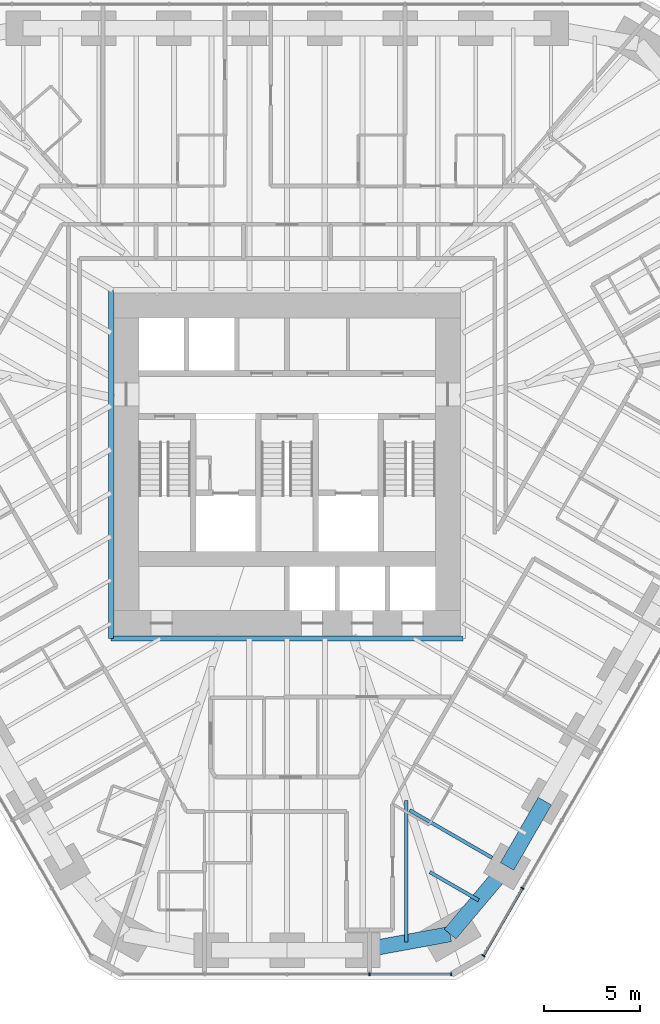
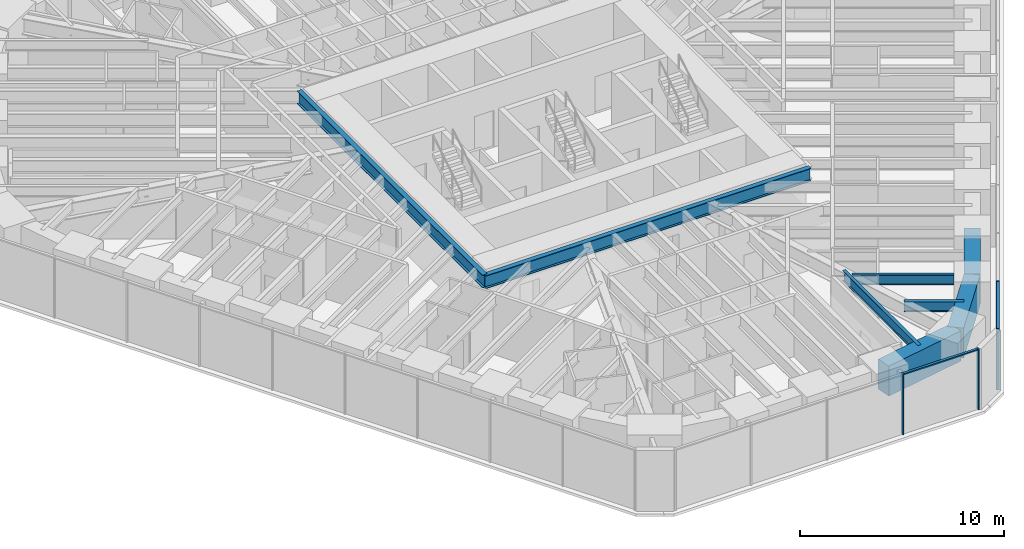
# One storey, part 4 of 17: 8 beams, 6 members, 2 elements without a shape of their own.
"""IFC4 building model written with IfcOpenShell, lengths in metres."""

from ifc_helpers import new_model, si_unit, direction, frame, origin, origin_2d, place, context, subcontext, project, spatial, rectangle, i_section, extrude, material, material_profile, profile_set, type_object, element, aggregate, save


model = new_model("IFC4")

# Units and contexts
model_context = context("Model", 3, precision=1e-05, world=origin(), true_north=direction((0.0, 1.0)))
body_context = subcontext(model_context, "Body", "Model", "MODEL_VIEW")
ifc_project = project(units=[si_unit("LENGTHUNIT", "METRE"), si_unit("AREAUNIT", "SQUARE_METRE"), si_unit("VOLUMEUNIT", "CUBIC_METRE"), si_unit("PLANEANGLEUNIT", "RADIAN"), si_unit("MASSUNIT", "GRAM", prefix="KILO")], contexts=[model_context])

# Site, building, storey
site_placement = place(None, origin())
site = spatial("IfcSite", under=ifc_project, at=site_placement, CompositionType="ELEMENT")
building_placement = place(site_placement, origin())
building = spatial("IfcBuilding", under=site, at=building_placement, Name="Sandreach Pilgrim Tower", CompositionType="ELEMENT")
storey_placement = place(building_placement, frame((0.0, 0.0, 123.39990234375)))
storey = spatial("IfcBuildingStorey", under=building, at=storey_placement, Name="L30", CompositionType="ELEMENT", Elevation=123.39990234375)

# Curtain wall, members
ifc_material_1 = material(Name="Aluminium framed curtain wall", Category="aluminium")
curtain_wall_type = type_object("IfcCurtainWallType", Name="Hotel tower curtain wall", PredefinedType="NOTDEFINED", material=ifc_material_1)
curtain_wall_1_placement = place(storey_placement, origin())
curtain_wall_1 = element("IfcCurtainWall", 1, at=curtain_wall_1_placement, inside=storey, type_object=curtain_wall_type, Name="CW-2 L30 SE", PredefinedType="NOTDEFINED")
ifc_material_2 = material(Name="Aluminium extrusion", Category="aluminium")
ifc_material_profile_1 = material_profile(ifc_material_2, rectangle(XDim=0.06494140625, YDim=0.179931640625, at=origin_2d()), Name="CW-2M 65X180")
ifc_profile_set_1 = profile_set([ifc_material_profile_1], Name="Aluminium extrusion")
member_type_1 = type_object("IfcMemberType", Name="CW-2 mullion", PredefinedType="MULLION", material=ifc_profile_set_1)
member_1_placement = place(storey_placement, frame((12.29296875, -23.695556640625, 0.0), z_axis=(0.0, 0.0, 1.0), x_axis=(-0.5, -0.866025403784, 0.0)))
member_1 = element("IfcMember", 2, at=member_1_placement, type_object=member_type_1, Name="CW-2 mullion 9", PredefinedType="MULLION", context=body_context, shape_type="SweptSolid", body=[
    extrude(rectangle(XDim=0.06494140625, YDim=0.179931640625, at=origin_2d()), origin(), (0.0, 0.0, 1.0), 3.64013671875),
])
member_2_placement = place(storey_placement, frame((10.255859375, -27.22412109375, 0.0), z_axis=(0.0, 0.0, 1.0), x_axis=(-0.5, -0.866025403784, 0.0)))
member_2 = element("IfcMember", 3, at=member_2_placement, type_object=member_type_1, Name="CW-2 mullion 10", PredefinedType="MULLION", context=body_context, shape_type="SweptSolid", body=[
    extrude(rectangle(XDim=0.06494140625, YDim=0.179931640625, at=origin_2d()), origin(), (0.0, 0.0, 1.0), 3.64013671875),
])

curtain_wall_2_placement = place(storey_placement, origin())
curtain_wall_2 = element("IfcCurtainWall", 4, at=curtain_wall_2_placement, inside=storey, type_object=curtain_wall_type, Name="CW-2 L30 S", PredefinedType="NOTDEFINED")
member_3_placement = place(storey_placement, frame((8.578857421875, -28.192138671875, 0.0), z_axis=(0.0, 0.0, 1.0), x_axis=(-1.0, 0.0, 0.0)))
member_3 = element("IfcMember", 5, at=member_3_placement, type_object=member_type_1, Name="CW-2 mullion 1", PredefinedType="MULLION", context=body_context, shape_type="SweptSolid", body=[
    extrude(rectangle(XDim=0.06494140625, YDim=0.179931640625, at=origin_2d()), origin(), (0.0, 0.0, 1.0), 3.64013671875),
])
member_4_placement = place(storey_placement, frame((4.3056640625, -28.192138671875, 0.0), z_axis=(0.0, 0.0, 1.0), x_axis=(-1.0, 0.0, 0.0)))
member_4 = element("IfcMember", 6, at=member_4_placement, type_object=member_type_1, Name="CW-2 mullion 2", PredefinedType="MULLION", context=body_context, shape_type="SweptSolid", body=[
    extrude(rectangle(XDim=0.06494140625, YDim=0.179931640625, at=origin_2d()), origin(), (0.0, 0.0, 1.0), 3.64013671875),
])

# Member
ifc_material_3 = material(Name="Aluminium extrusion", Category="aluminium")
ifc_material_profile_2 = material_profile(ifc_material_3, rectangle(XDim=0.139892578125, YDim=0.070068359375, at=origin_2d()), Name="CW-2T 140X70")
ifc_profile_set_2 = profile_set([ifc_material_profile_2], Name="Aluminium extrusion")
member_type_2 = type_object("IfcMemberType", Name="CW-2 transom", PredefinedType="USERDEFINED", material=ifc_profile_set_2)
member_5_placement = place(storey_placement, frame((12.27685546875, -23.7236328125, 3.60498046875), z_axis=(-0.500015851672, -0.866016251624, 0.0), x_axis=(0.866016251624, -0.500015851672, 0.0)))
member_5 = element("IfcMember", 7, at=member_5_placement, type_object=member_type_2, Name="CW-2 head transom 9", ObjectType="TRANSOM", PredefinedType="USERDEFINED", context=body_context, shape_type="SweptSolid", body=[
    extrude(rectangle(XDim=0.139892578125, YDim=0.070068359375, at=origin_2d()), origin(), (0.0, 0.0, 1.0), 4.009521484375),
])

aggregate(curtain_wall_1, [member_1, member_2, member_5])

member_6_placement = place(storey_placement, frame((8.54638671875, -28.192138671875, 3.60498046875), z_axis=(-1.0, 0.0, 0.0), x_axis=(0.0, -1.0, 0.0)))
member_6 = element("IfcMember", 8, at=member_6_placement, type_object=member_type_2, Name="CW-2 head transom 1", ObjectType="TRANSOM", PredefinedType="USERDEFINED", context=body_context, shape_type="SweptSolid", body=[
    extrude(rectangle(XDim=0.139892578125, YDim=0.070068359375, at=origin_2d()), origin(), (0.0, 0.0, 1.0), 4.208251953125),
])

aggregate(curtain_wall_2, [member_3, member_4, member_6])

# Beams
ifc_material_4 = material(Name="Steel ASTM A992 Grade 50", Category="steel")
ifc_material_profile_3 = material_profile(ifc_material_4, i_section(OverallWidth=0.2666015625, OverallDepth=0.77978515625, WebThickness=0.0166015625, FlangeThickness=0.030029296875, at=origin_2d()), Name="W30X148")
ifc_profile_set_3 = profile_set([ifc_material_profile_3], Name="Steel ASTM A992 Grade 50")
beam_type_1 = type_object("IfcBeamType", Name="Core edge beam W30X148", PredefinedType="BEAM", material=ifc_profile_set_3)
beam_1_placement = place(storey_placement, frame((9.193359375, -10.643310546875, 3.250244140625), z_axis=(-1.0, 0.0, 0.0), x_axis=(0.0, -1.0, 0.0)))
element("IfcBeam", 9, at=beam_1_placement, inside=storey, type_object=beam_type_1, Name="BM L30 CES", PredefinedType="BEAM", context=body_context, shape_type="SweptSolid", body=[
    extrude(i_section(OverallWidth=0.2666015625, OverallDepth=0.77978515625, WebThickness=0.0166015625, FlangeThickness=0.030029296875, at=origin_2d()), origin(), (0.0, 0.0, 1.0), 18.38671875),
])
beam_2_placement = place(storey_placement, frame((-9.193359375, -10.643310546875, 3.250244140625), z_axis=(0.0, 1.0, 0.0), x_axis=(-1.0, 0.0, 0.0)))
element("IfcBeam", 10, at=beam_2_placement, inside=storey, type_object=beam_type_1, Name="BM L30 CEW", PredefinedType="BEAM", context=body_context, shape_type="SweptSolid", body=[
    extrude(i_section(OverallWidth=0.2666015625, OverallDepth=0.77978515625, WebThickness=0.0166015625, FlangeThickness=0.030029296875, at=origin_2d()), origin(), (0.0, 0.0, 1.0), 18.186767578125),
])
ifc_material_5 = material(Name="Steel ASTM A992 Grade 50", Category="steel")
ifc_material_profile_4 = material_profile(ifc_material_5, i_section(OverallWidth=0.1787109375, OverallDepth=0.60205078125, WebThickness=0.010986328125, FlangeThickness=0.014892578125, at=origin_2d()), Name="W24X62")
ifc_profile_set_4 = profile_set([ifc_material_profile_4], Name="Steel ASTM A992 Grade 50")
beam_type_2 = type_object("IfcBeamType", Name="Floor beam W24X62", PredefinedType="BEAM", material=ifc_profile_set_4)
beam_3_placement = place(storey_placement, frame((10.714599609375, -22.109130859375, 3.339111328125), z_axis=(-0.866024645457, 0.500001313459, 0.0), x_axis=(-0.500001313459, -0.866024645457, 0.0)))
element("IfcBeam", 11, at=beam_3_placement, inside=storey, type_object=beam_type_2, Name="BM L30 F21", PredefinedType="BEAM", context=body_context, shape_type="SweptSolid", body=[
    extrude(i_section(OverallWidth=0.1787109375, OverallDepth=0.60205078125, WebThickness=0.010986328125, FlangeThickness=0.014892578125, at=origin_2d()), origin(), (0.0, 0.0, 1.0), 4.9765625),
])
beam_4_placement = place(storey_placement, frame((10.006103515625, -24.326904296875, 3.339111328125), z_axis=(-0.866015396618, 0.500017332519, 0.0), x_axis=(-0.500017332519, -0.866015396618, 0.0)))
element("IfcBeam", 12, at=beam_4_placement, inside=storey, type_object=beam_type_2, Name="BM L30 FM21", PredefinedType="BEAM", context=body_context, shape_type="SweptSolid", body=[
    extrude(i_section(OverallWidth=0.1787109375, OverallDepth=0.60205078125, WebThickness=0.010986328125, FlangeThickness=0.014892578125, at=origin_2d()), origin(), (0.0, 0.0, 1.0), 2.9384765625),
])
beam_5_placement = place(storey_placement, frame((6.236572265625, -26.51318359375, 3.339111328125), z_axis=(0.0, 1.0, 0.0), x_axis=(-1.0, 0.0, 0.0)))
element("IfcBeam", 13, at=beam_5_placement, inside=storey, type_object=beam_type_2, Name="BM L30 FM22", PredefinedType="BEAM", context=body_context, shape_type="SweptSolid", body=[
    extrude(i_section(OverallWidth=0.1787109375, OverallDepth=0.60205078125, WebThickness=0.010986328125, FlangeThickness=0.014892578125, at=origin_2d()), origin(), (0.0, 0.0, 1.0), 7.40771484375),
])
ifc_material_6 = material(Name="Concrete 10000 psi", Category="concrete")
ifc_material_profile_5 = material_profile(ifc_material_6, rectangle(XDim=0.800048828125, YDim=1.800048828125, at=origin_2d()), Name="RC800X1800")
ifc_profile_set_5 = profile_set([ifc_material_profile_5], Name="Concrete 10000 psi")
beam_type_3 = type_object("IfcBeamType", Name="Spandrel beam RC800X1800", PredefinedType="SPANDREL", material=ifc_profile_set_5)
beam_6_placement = place(storey_placement, frame((13.464111328125, -19.147216796875, 2.739990234375), z_axis=(-0.49999779889, -0.866026674592, 0.0), x_axis=(0.866026674592, -0.49999779889, 0.0)))
element("IfcBeam", 14, at=beam_6_placement, inside=storey, type_object=beam_type_3, Name="BM L30 SP20", PredefinedType="SPANDREL", context=body_context, shape_type="SweptSolid", body=[
    extrude(rectangle(XDim=0.800048828125, YDim=1.800048828125, at=origin_2d()), origin(), (0.0, 0.0, 1.0), 3.93994140625),
])
beam_7_placement = place(storey_placement, frame((11.494140625, -22.559326171875, 2.739990234375), z_axis=(-0.644078801547, -0.764959147535, 0.0), x_axis=(0.764959147535, -0.644078801547, 0.0)))
element("IfcBeam", 15, at=beam_7_placement, inside=storey, type_object=beam_type_3, Name="BM L30 SP21", PredefinedType="SPANDREL", context=body_context, shape_type="SweptSolid", body=[
    extrude(rectangle(XDim=0.800048828125, YDim=1.800048828125, at=origin_2d()), origin(), (0.0, 0.0, 1.0), 4.62109375),
])
beam_8_placement = place(storey_placement, frame((8.517822265625, -26.09423828125, 2.739990234375), z_axis=(-0.983551746136, -0.180626583516, 0.0), x_axis=(0.180626583516, -0.983551746136, 0.0)))
element("IfcBeam", 16, at=beam_8_placement, inside=storey, type_object=beam_type_3, Name="BM L30 SP22", PredefinedType="SPANDREL", context=body_context, shape_type="SweptSolid", body=[
    extrude(rectangle(XDim=0.800048828125, YDim=1.800048828125, at=origin_2d()), origin(), (0.0, 0.0, 1.0), 4.638916015625),
])

save(model, "model.ifc")
